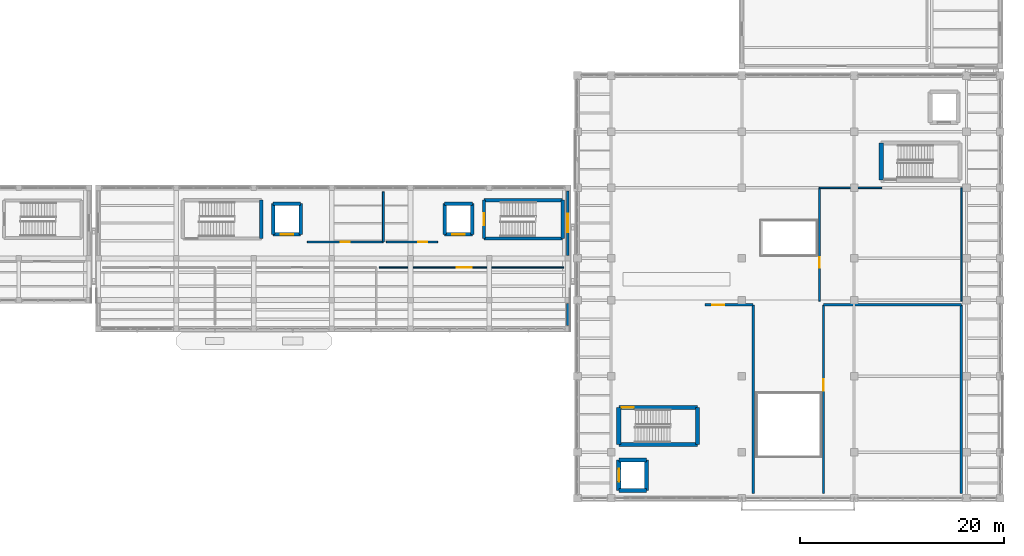
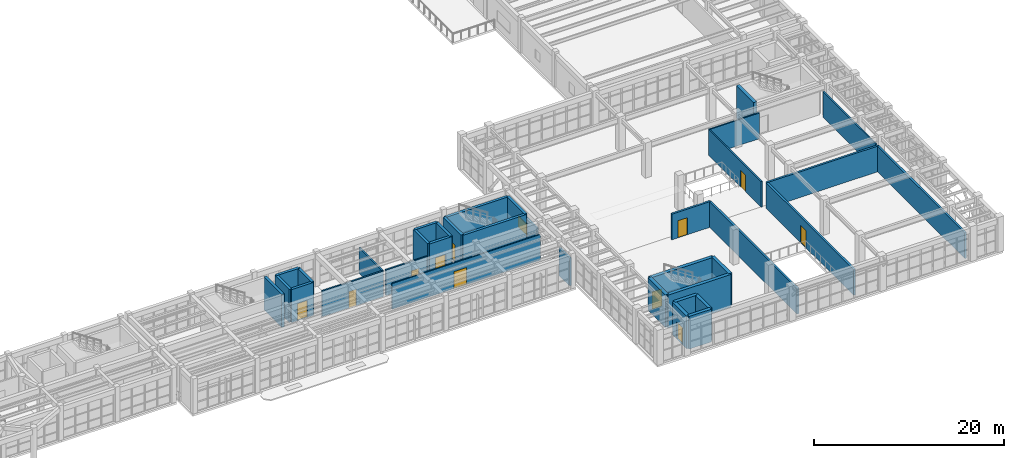
# One storey, part 70 of 85: 36 walls, 11 doors, 1 window, 12 openings.
"""IFC4 building model written with IfcOpenShell, lengths in metres."""

import ifcopenshell
import ifcopenshell.guid

model = None  # the IFC model being written
_history = None  # IfcOwnerHistory: only IFC2X3 demands one
_inside = {}  # id of a spatial element -> (the spatial element, [elements in it])
_under = {}  # id of a project, library or spatial element -> (it, [spatial elements below it])
_declared = {}  # id of a project -> (the project, [libraries it declares])
_typed = {}  # id of a type object -> (the type object, [elements of that type])
_made_of = {}  # id of a material, layer set ... -> (it, [elements and type objects made of it])


def new_model(schema):
    """Start an empty IFC model of exactly this schema.

    Asked for "IFC4X3", IfcOpenShell would pick the latest addendum, in which some entities
    have other attributes; the version numbers below select the first issue.
    IFC2X3 requires an IfcOwnerHistory on every rooted entity: one is made here for all.
    """
    global model, _history
    if schema == "IFC4X3":
        model = ifcopenshell.file(schema_version=(4, 3, 0, 0))
    else:
        model = ifcopenshell.file(schema=schema)
    _inside.clear()
    _under.clear()
    _declared.clear()
    _typed.clear()
    _made_of.clear()
    _history = None
    if model.schema == "IFC2X3":
        org = make("IfcOrganization", Name="unknown")
        user = make(
            "IfcPersonAndOrganization",
            ThePerson=make("IfcPerson", FamilyName="unknown"),
            TheOrganization=org,
        )
        app = make(
            "IfcApplication",
            ApplicationDeveloper=org,
            Version="unknown",
            ApplicationFullName="unknown",
            ApplicationIdentifier="unknown",
        )
        _history = make(
            "IfcOwnerHistory",
            OwningUser=user,
            OwningApplication=app,
            ChangeAction="ADDED",
            CreationDate=0,
        )
    return model


def make(cls, **values):
    """One entity of the class cls with the attributes given. An attribute that is None is left unset."""
    return model.create_entity(
        cls, **{name: value for name, value in values.items() if value is not None}
    )


def rooted(cls, **values):
    """An entity with a GlobalId (a new one), such as an element, a storey or a relation."""
    return make(cls, GlobalId=ifcopenshell.guid.new(), OwnerHistory=_history, **values)


def si_unit(unit_type, name, prefix=None):
    """IfcSIUnit, for example si_unit("LENGTHUNIT", "METRE", prefix="MILLI")."""
    return make("IfcSIUnit", UnitType=unit_type, Prefix=prefix, Name=name)


def assignment(units):
    """IfcUnitAssignment: the units of a project."""
    return None if units is None else make("IfcUnitAssignment", Units=units)


def point(xyz):
    """IfcCartesianPoint."""
    return None if xyz is None else make("IfcCartesianPoint", Coordinates=xyz)


def direction(xyz):
    """IfcDirection."""
    return None if xyz is None else make("IfcDirection", DirectionRatios=xyz)


def frame(location, z_axis=None, x_axis=None):
    """IfcAxis2Placement3D, a coordinate frame: its origin and axes. An axis left out is left unset."""
    return make(
        "IfcAxis2Placement3D",
        Location=point(location),
        Axis=direction(z_axis),
        RefDirection=direction(x_axis),
    )


def frame_2d(location, x_axis=None):
    """IfcAxis2Placement2D, a coordinate frame in the plane: its origin and x axis."""
    return make(
        "IfcAxis2Placement2D", Location=point(location), RefDirection=direction(x_axis)
    )


def origin():
    """The frame at (0, 0, 0) with its axes left unset."""
    return frame((0.0, 0.0, 0.0))


def place(relative_to, where):
    """IfcLocalPlacement: puts the frame where relative to a parent placement (None: the world)."""
    return make(
        "IfcLocalPlacement", PlacementRelTo=relative_to, RelativePlacement=where
    )


def context(
    kind, dimensions, precision=None, world=None, true_north=None, identifier=None
):
    """IfcGeometricRepresentationContext, for example the 3D "Model" context."""
    return make(
        "IfcGeometricRepresentationContext",
        ContextIdentifier=identifier,
        ContextType=kind,
        CoordinateSpaceDimension=dimensions,
        Precision=precision,
        WorldCoordinateSystem=world,
        TrueNorth=true_north,
    )


def subcontext(parent, identifier, kind, view, scale=None):
    """IfcGeometricRepresentationSubContext, for example "Body" below "Model"."""
    return make(
        "IfcGeometricRepresentationSubContext",
        ContextIdentifier=identifier,
        ContextType=kind,
        ParentContext=parent,
        TargetScale=scale,
        TargetView=view,
    )


def project(units=None, contexts=None):
    """IfcProject with its units and contexts."""
    return rooted(
        "IfcProject",
        Name="project",
        RepresentationContexts=contexts,
        UnitsInContext=assignment(units),
    )


def spatial(cls, under=None, at=None, **own):
    """A site, building, storey or space (cls), placed at a placement, below another one or the project."""
    s = rooted(cls, ObjectPlacement=at, **own)
    if under is not None:
        _under.setdefault(under.id(), (under, []))[1].append(s)
    return s


def profile(cls, at=None, kind="AREA", **sizes):
    """A parametric profile (cls). Its sizes go by their IFC names, for example OverallWidth=200.0."""
    return make(cls, ProfileType=kind, Position=at, **sizes)


def rectangle(**sizes):
    """IfcRectangleProfileDef."""
    return profile("IfcRectangleProfileDef", **sizes)


def extrude(swept, where, along, depth):
    """IfcExtrudedAreaSolid: the profile swept, set in the frame where, extruded along a direction by depth."""
    return make(
        "IfcExtrudedAreaSolid",
        SweptArea=swept,
        Position=where,
        ExtrudedDirection=direction(along),
        Depth=depth,
    )


def shape(context_of_items, identifier, shape_type, items):
    """IfcShapeRepresentation: the items that make up one representation, for example the "Body"."""
    return make(
        "IfcShapeRepresentation",
        ContextOfItems=context_of_items,
        RepresentationIdentifier=identifier,
        RepresentationType=shape_type,
        Items=items,
    )


def material(Name=None, Category=None):
    """IfcMaterial."""
    return make("IfcMaterial", Name=Name, Category=Category)


def layer(
    of_material, thickness, ventilated=None, Name=None, Category=None, Priority=None
):
    """IfcMaterialLayer: one layer of a wall or slab, of a material (None: an air gap)."""
    return make(
        "IfcMaterialLayer",
        Material=of_material,
        LayerThickness=thickness,
        IsVentilated=ventilated,
        Name=Name,
        Category=Category,
        Priority=Priority,
    )


def layer_set(layers, Name=None):
    """IfcMaterialLayerSet."""
    return make("IfcMaterialLayerSet", MaterialLayers=layers, LayerSetName=Name)


def made_of(thing, what):
    """Note that an element or type object is made of a material, layer set ...; save() writes the relation."""
    if what is not None:
        _made_of.setdefault(what.id(), (what, []))[1].append(thing)
    return thing


def type_object(cls, material=None, **own):
    """A type object (cls), such as IfcWallType, which elements share."""
    return made_of(rooted(cls, **own), material)


def element(
    cls,
    number,
    at=None,
    inside=None,
    cuts=None,
    type_object=None,
    material=None,
    context=None,
    identifier="Body",
    shape_type=None,
    held_by="IfcProductDefinitionShape",
    body=None,
    shapes=None,
    **own,
):
    """One element of the class cls, such as IfcWall. Its Tag is "e" and its number.

    at: its placement. inside: the storey or other place that contains it. cuts: it is an
    opening in that element (IfcRelVoidsElement). A single representation is given by context,
    identifier, shape_type and body (its items); several are given by shapes. held_by: the class
    of the entity that holds the representations. save() writes the other relations.
    """
    e = rooted(cls, Tag="e%d" % number, ObjectPlacement=at, **own)
    if body is not None:
        shapes = [shape(context, identifier, shape_type, body)]
    if shapes is not None:
        e.Representation = make(held_by, Representations=shapes)
    if inside is not None:
        _inside.setdefault(inside.id(), (inside, []))[1].append(e)
    if cuts is not None:
        rooted(
            "IfcRelVoidsElement", RelatingBuildingElement=cuts, RelatedOpeningElement=e
        )
    if type_object is not None:
        _typed.setdefault(type_object.id(), (type_object, []))[1].append(e)
    return made_of(e, material)


def fill(opening, filler):
    """IfcRelFillsElement: the door or window that sits in an opening."""
    return rooted(
        "IfcRelFillsElement",
        RelatingOpeningElement=opening,
        RelatedBuildingElement=filler,
    )


def aggregate(whole, parts):
    """IfcRelAggregates: a whole, such as a stair, and the parts it consists of."""
    return rooted("IfcRelAggregates", RelatingObject=whole, RelatedObjects=parts)


def save(model, path):
    """Write the relations noted so far, then the file.

    IfcRelAggregates (storeys below a building ...), IfcRelContainedInSpatialStructure (elements
    in a storey), IfcRelDefinesByType, IfcRelAssociatesMaterial and IfcRelDeclares: one each for
    every whole, place, type object, material and project.
    """
    for whole, parts in _under.values():
        aggregate(whole, parts)
    for where, things in _inside.values():
        rooted(
            "IfcRelContainedInSpatialStructure",
            RelatedElements=things,
            RelatingStructure=where,
        )
    for kind, things in _typed.values():
        rooted("IfcRelDefinesByType", RelatedObjects=things, RelatingType=kind)
    for what, things in _made_of.values():
        rooted("IfcRelAssociatesMaterial", RelatedObjects=things, RelatingMaterial=what)
    for by, libraries in _declared.values():
        rooted("IfcRelDeclares", RelatingContext=by, RelatedDefinitions=libraries)
    model.write(path)


model = new_model("IFC4")

# Units and contexts
model_context = context("Model", 3, precision=1e-05, world=origin(), true_north=direction((0.0, 1.0)))
body_context = subcontext(model_context, "Body", "Model", "MODEL_VIEW")
ifc_project = project(units=[si_unit("LENGTHUNIT", "METRE"), si_unit("AREAUNIT", "SQUARE_METRE"), si_unit("VOLUMEUNIT", "CUBIC_METRE"), si_unit("PLANEANGLEUNIT", "RADIAN"), si_unit("MASSUNIT", "GRAM", prefix="KILO")], contexts=[model_context])

# Site, building, storey
site_placement = place(None, origin())
site = spatial("IfcSite", under=ifc_project, at=site_placement, CompositionType="ELEMENT")
building_placement = place(site_placement, origin())
building = spatial("IfcBuilding", under=site, at=building_placement, Name="Candilejo Ridge Gondola Terminal", CompositionType="ELEMENT")
storey_placement = place(building_placement, frame((0.0, 0.0, 4.5)))
storey = spatial("IfcBuildingStorey", under=building, at=storey_placement, Name="L01", CompositionType="ELEMENT", Elevation=4.5)

# Wall, opening, window
ifc_material_1 = material(Name="Concrete C20/25 masonry blockwork (f'm 14 MPa)", Category="masonry")
ifc_layer_1 = layer(ifc_material_1, 0.219970703125)
ifc_layer_set_1 = layer_set([ifc_layer_1], Name="ARC-EXT-WALL-220")
wall_type_1 = type_object("IfcWallType", Name="ARC-EXT-WALL-220", PredefinedType="STANDARD", material=ifc_layer_set_1)
wall_1_placement = place(storey_placement, frame((132.949951171875, 36.39990234375, 0.0), z_axis=(0.0, 0.0, 1.0), x_axis=(0.0, -1.0, 0.0)))
wall_1 = element("IfcWall", 1, at=wall_1_placement, inside=storey, type_object=wall_type_1, Name="Exterior facade wall EW-V3-L01-076", PredefinedType="STANDARD", context=body_context, shape_type="SweptSolid", body=[
    extrude(rectangle(XDim=6.2998046875, YDim=0.219970703125, at=frame_2d((3.14990234375, 0.0))), origin(), (0.0, 0.0, 1.0), 3.239990234375),
])
opening_1_placement = place(wall_1_placement, frame((2.25, 0.0, 0.949951171875)))
opening_1 = element("IfcOpeningElement", 2, at=opening_1_placement, cuts=wall_1, Name="Opening WN-02B", PredefinedType="OPENING", context=body_context, shape_type="SweptSolid", body=[
    extrude(rectangle(XDim=1.800048828125, YDim=1.39990234375, at=frame_2d((0.89990234375, 0.699951171875))), frame((0.0, 0.119873046875, 0.0), z_axis=(0.0, -1.0, 0.0), x_axis=(1.0, 0.0, 0.0)), (0.0, 0.0, 1.0), 0.239990234375),
])
ifc_material_2 = material(Name="Low-E laminated double glazing 6+12A+6+1.52PVB+6 mm", Category="glass")
window_type = type_object("IfcWindowType", Name="ARC-WIN-1800X1400", PartitioningType="SINGLE_PANEL", PredefinedType="WINDOW", material=ifc_material_2)
window_placement = place(opening_1_placement, origin())
window = element("IfcWindow", 3, at=window_placement, inside=storey, type_object=window_type, Name="Window WIN-036", OverallHeight=1.39990234375, OverallWidth=1.800048828125, PartitioningType="SINGLE_PANEL", PredefinedType="WINDOW", context=body_context, shape_type="SweptSolid", body=[
    extrude(rectangle(XDim=1.800048828125, YDim=1.39990234375, at=frame_2d((0.89990234375, 0.699951171875))), frame((0.0, 0.030029296875, 0.0), z_axis=(0.0, -1.0, 0.0), x_axis=(1.0, 0.0, 0.0)), (0.0, 0.0, 1.0), 0.06005859375),
])
fill(opening_1, window)

# Wall
wall_2_placement = place(storey_placement, frame((132.949951171875, 25.39990234375, 0.0), z_axis=(0.0, 0.0, 1.0), x_axis=(0.0, -1.0, 0.0)))
element("IfcWall", 4, at=wall_2_placement, inside=storey, type_object=wall_type_1, Name="Exterior facade wall EW-V3-L01-078", PredefinedType="STANDARD", context=body_context, shape_type="SweptSolid", body=[
    extrude(rectangle(XDim=2.199951171875, YDim=0.219970703125, at=frame_2d((1.10009765625, 0.0))), origin(), (0.0, 0.0, 1.0), 3.580078125),
])

# Wall, opening, door
ifc_material_3 = material(Name="Gypsum board Type X acoustic partition (2x15.9 mm)", Category="gypsum")
ifc_layer_2 = layer(ifc_material_3, 0.135009765625)
ifc_layer_set_2 = layer_set([ifc_layer_2], Name="ARC-PART-GYP135")
wall_type_2 = type_object("IfcWallType", Name="ARC-PART-GYP135", PredefinedType="PARTITIONING", material=ifc_layer_set_2)
wall_3_placement = place(storey_placement, frame((114.5, 28.89990234375, 0.0), z_axis=(0.0, 0.0, 1.0), x_axis=(1.0, 0.0, 0.0)))
wall_3 = element("IfcWall", 5, at=wall_3_placement, inside=storey, type_object=wall_type_2, Name="Interior partition PT-V3-L01-0053", PredefinedType="PARTITIONING", context=body_context, shape_type="SweptSolid", body=[
    extrude(rectangle(XDim=18.050048828125, YDim=0.135009765625, at=frame_2d((9.02490234375, 0.0))), origin(), (0.0, 0.0, 1.0), 3.300048828125),
])
opening_2_placement = place(wall_3_placement, frame((7.574951171875, 0.0, 0.0)))
opening_2 = element("IfcOpeningElement", 6, at=opening_2_placement, cuts=wall_3, Name="Opening ID-03B", PredefinedType="OPENING", context=body_context, shape_type="SweptSolid", body=[
    extrude(rectangle(XDim=1.5, YDim=2.199951171875, at=frame_2d((0.75, 1.10009765625))), frame((0.0, 0.077392578125, 0.0), z_axis=(0.0, -1.0, 0.0), x_axis=(1.0, 0.0, 0.0)), (0.0, 0.0, 1.0), 0.155029296875),
])
ifc_material_4 = material(Name="Solid-core fire-rated hardwood door leaf", Category="wood")
door_type_1 = type_object("IfcDoorType", Name="ARC-DOOR-DBL-1500", OperationType="NOTDEFINED", PredefinedType="DOOR", material=ifc_material_4)
door_1_placement = place(opening_2_placement, origin())
door_1 = element("IfcDoor", 7, at=door_1_placement, inside=storey, type_object=door_type_1, Name="Interior door IDR-0031 (115)", OperationType="DOUBLE_DOOR_SINGLE_SWING", OverallHeight=2.199951171875, OverallWidth=1.5, PredefinedType="DOOR", context=body_context, shape_type="SweptSolid", body=[
    extrude(rectangle(XDim=1.5, YDim=2.199951171875, at=frame_2d((0.75, 1.10009765625))), frame((0.0, 0.02490234375, 0.0), z_axis=(0.0, -1.0, 0.0), x_axis=(1.0, 0.0, 0.0)), (0.0, 0.0, 1.0), 0.050048828125),
])
fill(opening_2, door_1)

ifc_material_5 = material(Name="Concrete C20/25 masonry blockwork (f'm 14 MPa)", Category="masonry")
ifc_layer_3 = layer(ifc_material_5, 0.169921875)
ifc_layer_set_3 = layer_set([ifc_layer_3], Name="ARC-WALL-CMU170-EI90")
wall_type_3 = type_object("IfcWallType", Name="ARC-WALL-CMU170-EI90", PredefinedType="SOLIDWALL", material=ifc_layer_set_3)
wall_4_placement = place(storey_placement, frame((157.60009765625, 25.60009765625, 0.0), z_axis=(0.0, 0.0, 1.0), x_axis=(0.0, 1.0, 0.0)))
wall_4 = element("IfcWall", 8, at=wall_4_placement, inside=storey, type_object=wall_type_3, Name="Interior partition PT-V4-L01-0062", PredefinedType="SOLIDWALL", context=body_context, shape_type="SweptSolid", body=[
    extrude(rectangle(XDim=11.099853515625, YDim=0.169921875, at=frame_2d((5.5498046875, 0.0))), origin(), (0.0, 0.0, 1.0), 3.300048828125),
])
opening_3_placement = place(wall_4_placement, frame((3.300048828125, 0.0, 0.0)))
opening_3 = element("IfcOpeningElement", 9, at=opening_3_placement, cuts=wall_4, Name="Opening FD-02", PredefinedType="OPENING", context=body_context, shape_type="SweptSolid", body=[
    extrude(rectangle(XDim=1.0, YDim=2.14990234375, at=frame_2d((0.5, 1.074951171875))), frame((0.0, 0.094970703125, 0.0), z_axis=(0.0, -1.0, 0.0), x_axis=(1.0, 0.0, 0.0)), (0.0, 0.0, 1.0), 0.18994140625),
])
ifc_material_6 = material(Name="Steel ASTM A653 Grade 33 hollow-metal door", Category="steel")
door_type_2 = type_object("IfcDoorType", Name="ARC-DOOR-FD60-1000", OperationType="NOTDEFINED", PredefinedType="DOOR", material=ifc_material_6)
door_2_placement = place(opening_3_placement, origin())
door_2 = element("IfcDoor", 10, at=door_2_placement, inside=storey, type_object=door_type_2, Name="Interior door IDR-0036 (122)", OperationType="SINGLE_SWING_RIGHT", OverallHeight=2.14990234375, OverallWidth=1.0, PredefinedType="DOOR", context=body_context, shape_type="SweptSolid", body=[
    extrude(rectangle(XDim=1.0, YDim=2.14990234375, at=frame_2d((0.5, 1.074951171875))), frame((0.0, 0.02490234375, 0.0), z_axis=(0.0, -1.0, 0.0), x_axis=(1.0, 0.0, 0.0)), (0.0, 0.0, 1.0), 0.050048828125),
])
fill(opening_3, door_2)

# Walls
wall_5_placement = place(storey_placement, frame((171.5, 25.60009765625, 0.0), z_axis=(0.0, 0.0, 1.0), x_axis=(0.0, 1.0, 0.0)))
element("IfcWall", 11, at=wall_5_placement, inside=storey, type_object=wall_type_3, Name="Interior partition PT-V4-L01-0063", PredefinedType="SOLIDWALL", context=body_context, shape_type="SweptSolid", body=[
    extrude(rectangle(XDim=11.099853515625, YDim=0.169921875, at=frame_2d((5.5498046875, 0.0))), origin(), (0.0, 0.0, 1.0), 3.300048828125),
])
wall_6_placement = place(storey_placement, frame((157.60009765625, 36.699951171875, 0.0), z_axis=(0.0, 0.0, 1.0), x_axis=(1.0, 0.0, 0.0)))
element("IfcWall", 12, at=wall_6_placement, inside=storey, type_object=wall_type_3, Name="Interior partition PT-V4-L01-0064", PredefinedType="SOLIDWALL", context=body_context, shape_type="SweptSolid", body=[
    extrude(rectangle(XDim=6.079833984375, YDim=0.169921875, at=frame_2d((3.0400390625, 0.0))), origin(), (0.0, 0.0, 1.0), 3.300048828125),
])

# Wall, opening, door
ifc_material_7 = material(Name="Concrete C20/25 masonry blockwork (f'm 14 MPa)", Category="masonry")
ifc_layer_4 = layer(ifc_material_7, 0.239990234375)
ifc_layer_set_4 = layer_set([ifc_layer_4], Name="ARC-WALL-CMU240-EI120")
wall_type_4 = type_object("IfcWallType", Name="ARC-WALL-CMU240-EI120", PredefinedType="SOLIDWALL", material=ifc_layer_set_4)
wall_7_placement = place(storey_placement, frame((146.39990234375, 25.25, 0.0), z_axis=(0.0, 0.0, 1.0), x_axis=(1.0, 0.0, 0.0)))
wall_7 = element("IfcWall", 13, at=wall_7_placement, inside=storey, type_object=wall_type_4, Name="Interior partition PT-V4-L01-0057", PredefinedType="SOLIDWALL", context=body_context, shape_type="SweptSolid", body=[
    extrude(rectangle(XDim=4.7001953125, YDim=0.239990234375, at=frame_2d((2.35009765625, 0.0))), origin(), (0.0, 0.0, 1.0), 3.300048828125),
])
opening_4_placement = place(wall_7_placement, frame((0.72509765625, 0.0, 0.0)))
opening_4 = element("IfcOpeningElement", 14, at=opening_4_placement, cuts=wall_7, Name="Opening FD-01B", PredefinedType="OPENING", context=body_context, shape_type="SweptSolid", body=[
    extrude(rectangle(XDim=1.14990234375, YDim=2.199951171875, at=frame_2d((0.574951171875, 1.10009765625))), frame((0.0, 0.1298828125, 0.0), z_axis=(0.0, -1.0, 0.0), x_axis=(1.0, 0.0, 0.0)), (0.0, 0.0, 1.0), 0.260009765625),
])
ifc_material_8 = material(Name="Steel ASTM A653 Grade 33 hollow-metal door", Category="steel")
door_type_3 = type_object("IfcDoorType", Name="ARC-DOOR-FD90-1150", OperationType="NOTDEFINED", PredefinedType="DOOR", material=ifc_material_8)
door_3_placement = place(opening_4_placement, origin())
door_3 = element("IfcDoor", 15, at=door_3_placement, inside=storey, type_object=door_type_3, Name="Interior door IDR-0034 (119)", OperationType="SINGLE_SWING_RIGHT", OverallHeight=2.199951171875, OverallWidth=1.14990234375, PredefinedType="DOOR", context=body_context, shape_type="SweptSolid", body=[
    extrude(rectangle(XDim=1.14990234375, YDim=2.199951171875, at=frame_2d((0.574951171875, 1.10009765625))), frame((0.0, 0.02490234375, 0.0), z_axis=(0.0, -1.0, 0.0), x_axis=(1.0, 0.0, 0.0)), (0.0, 0.0, 1.0), 0.050048828125),
])
fill(opening_4, door_3)

# Walls
wall_8_placement = place(storey_placement, frame((151.10009765625, 6.75, 0.0), z_axis=(0.0, 0.0, 1.0), x_axis=(0.0, 1.0, 0.0)))
element("IfcWall", 16, at=wall_8_placement, inside=storey, type_object=wall_type_4, Name="Interior partition PT-V4-L01-0058", PredefinedType="SOLIDWALL", context=body_context, shape_type="SweptSolid", body=[
    extrude(rectangle(XDim=18.5, YDim=0.239990234375, at=frame_2d((9.25, 0.0))), origin(), (0.0, 0.0, 1.0), 3.300048828125),
])
wall_9_placement = place(storey_placement, frame((158.0, 25.25, 0.0), z_axis=(0.0, 0.0, 1.0), x_axis=(1.0, 0.0, 0.0)))
element("IfcWall", 17, at=wall_9_placement, inside=storey, type_object=wall_type_4, Name="Interior partition PT-V4-L01-0059", PredefinedType="SOLIDWALL", context=body_context, shape_type="SweptSolid", body=[
    extrude(rectangle(XDim=13.5, YDim=0.239990234375, at=frame_2d((6.75, 0.0))), origin(), (0.0, 0.0, 1.0), 3.300048828125),
])

# Wall, opening, door
wall_10_placement = place(storey_placement, frame((158.0, 6.75, 0.0), z_axis=(0.0, 0.0, 1.0), x_axis=(0.0, 1.0, 0.0)))
wall_10 = element("IfcWall", 18, at=wall_10_placement, inside=storey, type_object=wall_type_4, Name="Interior partition PT-V4-L01-0060", PredefinedType="SOLIDWALL", context=body_context, shape_type="SweptSolid", body=[
    extrude(rectangle(XDim=18.5, YDim=0.239990234375, at=frame_2d((9.25, 0.0))), origin(), (0.0, 0.0, 1.0), 3.300048828125),
])
opening_5_placement = place(wall_10_placement, frame((10.074951171875, 0.0, 0.0)))
opening_5 = element("IfcOpeningElement", 19, at=opening_5_placement, cuts=wall_10, Name="Opening FD-01B", PredefinedType="OPENING", context=body_context, shape_type="SweptSolid", body=[
    extrude(rectangle(XDim=1.14990234375, YDim=2.199951171875, at=frame_2d((0.574951171875, 1.10009765625))), frame((0.0, 0.1298828125, 0.0), z_axis=(0.0, -1.0, 0.0), x_axis=(1.0, 0.0, 0.0)), (0.0, 0.0, 1.0), 0.260009765625),
])
door_4_placement = place(opening_5_placement, origin())
door_4 = element("IfcDoor", 20, at=door_4_placement, inside=storey, type_object=door_type_3, Name="Interior door IDR-0035 (120)", OperationType="SINGLE_SWING_LEFT", OverallHeight=2.199951171875, OverallWidth=1.14990234375, PredefinedType="DOOR", context=body_context, shape_type="SweptSolid", body=[
    extrude(rectangle(XDim=1.14990234375, YDim=2.199951171875, at=frame_2d((0.574951171875, 1.10009765625))), frame((0.0, 0.02490234375, 0.0), z_axis=(0.0, -1.0, 0.0), x_axis=(1.0, 0.0, 0.0)), (0.0, 0.0, 1.0), 0.050048828125),
])
fill(opening_5, door_4)

# Wall
wall_11_placement = place(storey_placement, frame((171.5, 6.75, 0.0), z_axis=(0.0, 0.0, 1.0), x_axis=(0.0, 1.0, 0.0)))
element("IfcWall", 21, at=wall_11_placement, inside=storey, type_object=wall_type_4, Name="Interior partition PT-V4-L01-0061", PredefinedType="SOLIDWALL", context=body_context, shape_type="SweptSolid", body=[
    extrude(rectangle(XDim=18.5, YDim=0.239990234375, at=frame_2d((9.25, 0.0))), origin(), (0.0, 0.0, 1.0), 3.300048828125),
])

# Wall, opening, door
ifc_material_9 = material(Name="Concrete C20/25 masonry blockwork (f'm 14 MPa)", Category="masonry")
ifc_layer_5 = layer(ifc_material_9, 0.179931640625)
ifc_layer_set_5 = layer_set([ifc_layer_5], Name="ARC-WALL-PLUMBING-180")
wall_type_5 = type_object("IfcWallType", Name="ARC-WALL-PLUMBING-180", PredefinedType="PLUMBINGWALL", material=ifc_layer_set_5)
wall_12_placement = place(storey_placement, frame((107.449951171875, 31.39990234375, 0.0), z_axis=(0.0, 0.0, 1.0), x_axis=(1.0, 0.0, 0.0)))
wall_12 = element("IfcWall", 22, at=wall_12_placement, inside=storey, type_object=wall_type_5, Name="Interior partition PT-V3-L01-0054", PredefinedType="PLUMBINGWALL", context=body_context, shape_type="SweptSolid", body=[
    extrude(rectangle(XDim=7.449951171875, YDim=0.179931640625, at=frame_2d((3.72509765625, 0.0))), origin(), (0.0, 0.0, 1.0), 3.300048828125),
])
opening_6_placement = place(wall_12_placement, frame((3.27490234375, 0.0, 0.0)))
opening_6 = element("IfcOpeningElement", 23, at=opening_6_placement, cuts=wall_12, Name="Opening ID-04", PredefinedType="OPENING", context=body_context, shape_type="SweptSolid", body=[
    extrude(rectangle(XDim=0.89990234375, YDim=2.10009765625, at=frame_2d((0.449951171875, 1.050048828125))), frame((0.0, 0.099853515625, 0.0), z_axis=(0.0, -1.0, 0.0), x_axis=(1.0, 0.0, 0.0)), (0.0, 0.0, 1.0), 0.199951171875),
])
ifc_material_10 = material(Name="Solid-core fire-rated hardwood door leaf", Category="wood")
door_type_4 = type_object("IfcDoorType", Name="ARC-DOOR-WC-0900", OperationType="NOTDEFINED", PredefinedType="DOOR", material=ifc_material_10)
door_5_placement = place(opening_6_placement, origin())
door_5 = element("IfcDoor", 24, at=door_5_placement, inside=storey, type_object=door_type_4, Name="Interior door IDR-0032 (117)", OperationType="SINGLE_SWING_RIGHT", OverallHeight=2.10009765625, OverallWidth=0.89990234375, PredefinedType="DOOR", context=body_context, shape_type="SweptSolid", body=[
    extrude(rectangle(XDim=0.89990234375, YDim=2.10009765625, at=frame_2d((0.449951171875, 1.050048828125))), frame((0.0, 0.02490234375, 0.0), z_axis=(0.0, -1.0, 0.0), x_axis=(1.0, 0.0, 0.0)), (0.0, 0.0, 1.0), 0.050048828125),
])
fill(opening_6, door_5)

# Wall
wall_13_placement = place(storey_placement, frame((114.89990234375, 31.39990234375, 0.0), z_axis=(0.0, 0.0, 1.0), x_axis=(0.0, 1.0, 0.0)))
element("IfcWall", 25, at=wall_13_placement, inside=storey, type_object=wall_type_5, Name="Interior partition PT-V3-L01-0055", PredefinedType="PLUMBINGWALL", context=body_context, shape_type="SweptSolid", body=[
    extrude(rectangle(XDim=4.900146484375, YDim=0.179931640625, at=frame_2d((2.4501953125, 0.0))), origin(), (0.0, 0.0, 1.0), 3.300048828125),
])

# Wall, opening, door
wall_14_placement = place(storey_placement, frame((115.199951171875, 31.39990234375, 0.0), z_axis=(0.0, 0.0, 1.0), x_axis=(1.0, 0.0, 0.0)))
wall_14 = element("IfcWall", 26, at=wall_14_placement, inside=storey, type_object=wall_type_5, Name="Interior partition PT-V3-L01-0056", PredefinedType="PLUMBINGWALL", context=body_context, shape_type="SweptSolid", body=[
    extrude(rectangle(XDim=5.0, YDim=0.179931640625, at=frame_2d((2.5, 0.0))), origin(), (0.0, 0.0, 1.0), 3.300048828125),
])
opening_7_placement = place(wall_14_placement, frame((3.090087890625, 0.0, 0.0)))
opening_7 = element("IfcOpeningElement", 27, at=opening_7_placement, cuts=wall_14, Name="Opening ID-04A", PredefinedType="OPENING", context=body_context, shape_type="SweptSolid", body=[
    extrude(rectangle(XDim=0.919921875, YDim=2.10009765625, at=frame_2d((0.4599609375, 1.050048828125))), frame((0.0, 0.099853515625, 0.0), z_axis=(0.0, -1.0, 0.0), x_axis=(1.0, 0.0, 0.0)), (0.0, 0.0, 1.0), 0.199951171875),
])
ifc_material_11 = material(Name="Solid-core fire-rated hardwood door leaf", Category="wood")
door_type_5 = type_object("IfcDoorType", Name="ARC-DOOR-WC-0920", OperationType="NOTDEFINED", PredefinedType="DOOR", material=ifc_material_11)
door_6_placement = place(opening_7_placement, origin())
door_6 = element("IfcDoor", 28, at=door_6_placement, inside=storey, type_object=door_type_5, Name="Interior door IDR-0033 (118)", OperationType="SINGLE_SWING_LEFT", OverallHeight=2.10009765625, OverallWidth=0.919921875, PredefinedType="DOOR", context=body_context, shape_type="SweptSolid", body=[
    extrude(rectangle(XDim=0.919921875, YDim=2.10009765625, at=frame_2d((0.4599609375, 1.050048828125))), frame((0.0, 0.02490234375, 0.0), z_axis=(0.0, -1.0, 0.0), x_axis=(1.0, 0.0, 0.0)), (0.0, 0.0, 1.0), 0.050048828125),
])
fill(opening_7, door_6)

# Wall
ifc_material_12 = material(Name="Concrete f'c 35 MPa (C35/45)", Category="concrete")
ifc_layer_6 = layer(ifc_material_12, 0.324951171875)
ifc_layer_set_6 = layer_set([ifc_layer_6], Name="STR-CORE-WALL-325")
wall_type_6 = type_object("IfcWallType", Name="STR-CORE-WALL-325", PredefinedType="SHEAR", material=ifc_layer_set_6)
wall_15_placement = place(storey_placement, frame((102.949951171875, 31.75, 0.0), z_axis=(0.0, 0.0, 1.0), x_axis=(0.0, 1.0, 0.0)))
element("IfcWall", 29, at=wall_15_placement, inside=storey, type_object=wall_type_6, Name="Core stair shear wall SW-C-V3A-L01-ST-E", PredefinedType="SHEAR", context=body_context, shape_type="SweptSolid", body=[
    extrude(rectangle(XDim=3.75, YDim=0.324951171875, at=frame_2d((1.875, 0.0))), origin(), (0.0, 0.0, 1.0), 4.25),
])

# Wall, opening, door
wall_16_placement = place(storey_placement, frame((104.10009765625, 32.14990234375, 0.0), z_axis=(0.0, 0.0, 1.0), x_axis=(1.0, 0.0, 0.0)))
wall_16 = element("IfcWall", 30, at=wall_16_placement, inside=storey, type_object=wall_type_6, Name="Lift shaft shear wall SW-C-V3A-L01-LF-S", PredefinedType="SHEAR", context=body_context, shape_type="SweptSolid", body=[
    extrude(rectangle(XDim=2.699951171875, YDim=0.324951171875, at=frame_2d((1.35009765625, 0.0))), origin(), (0.0, 0.0, 1.0), 4.25),
])
opening_8_placement = place(wall_16_placement, frame((0.72509765625, 0.0, 0.0)))
opening_8 = element("IfcOpeningElement", 31, at=opening_8_placement, cuts=wall_16, Name="Opening LD-01B", PredefinedType="OPENING", context=body_context, shape_type="SweptSolid", body=[
    extrude(rectangle(XDim=1.25, YDim=2.199951171875, at=frame_2d((0.625, 1.10009765625))), frame((0.0, 0.17236328125, 0.0), z_axis=(0.0, -1.0, 0.0), x_axis=(1.0, 0.0, 0.0)), (0.0, 0.0, 1.0), 0.344970703125),
])
ifc_material_13 = material(Name="Brushed stainless steel AISI 316", Category="steel")
door_type_6 = type_object("IfcDoorType", Name="ARC-LIFT-DOOR-1250", OperationType="NOTDEFINED", PredefinedType="DOOR", material=ifc_material_13)
door_7_placement = place(opening_8_placement, origin())
door_7 = element("IfcDoor", 32, at=door_7_placement, inside=storey, type_object=door_type_6, Name="Elevator landing door LDR-016", OperationType="SLIDING_TO_LEFT", OverallHeight=2.199951171875, OverallWidth=1.25, PredefinedType="DOOR", context=body_context, shape_type="SweptSolid", body=[
    extrude(rectangle(XDim=1.25, YDim=2.199951171875, at=frame_2d((0.625, 1.10009765625))), frame((0.0, 0.02490234375, 0.0), z_axis=(0.0, -1.0, 0.0), x_axis=(1.0, 0.0, 0.0)), (0.0, 0.0, 1.0), 0.050048828125),
])
fill(opening_8, door_7)

# Walls
wall_17_placement = place(storey_placement, frame((104.10009765625, 35.14990234375, 0.0), z_axis=(0.0, 0.0, 1.0), x_axis=(1.0, 0.0, 0.0)))
element("IfcWall", 33, at=wall_17_placement, inside=storey, type_object=wall_type_6, Name="Lift shaft shear wall SW-C-V3A-L01-LF-N", PredefinedType="SHEAR", context=body_context, shape_type="SweptSolid", body=[
    extrude(rectangle(XDim=2.699951171875, YDim=0.324951171875, at=frame_2d((1.35009765625, 0.0))), origin(), (0.0, 0.0, 1.0), 4.25),
])
for number, where, z_axis, x_axis, name in (
    (34, (104.10009765625, 32.14990234375, 0.0), (0.0, 0.0, 1.0), (0.0, 1.0, 0.0), "Lift shaft shear wall SW-C-V3A-L01-LF-W"),
    (35, (106.800048828125, 32.14990234375, 0.0), (0.0, 0.0, 1.0), (0.0, 1.0, 0.0), "Lift shaft shear wall SW-C-V3A-L01-LF-E"),
):
    element("IfcWall", number, at=place(storey_placement, frame(where, z_axis=z_axis, x_axis=x_axis)), inside=storey, type_object=wall_type_6, Name=name, PredefinedType="SHEAR", context=body_context, shape_type="SweptSolid", body=[
        extrude(rectangle(XDim=3.0, YDim=0.324951171875, at=frame_2d((1.5, 0.0))), origin(), (0.0, 0.0, 1.0), 4.25),
    ])
for number, where, z_axis, x_axis, name in (
    (36, (124.75, 31.75, 0.0), (0.0, 0.0, 1.0), (1.0, 0.0, 0.0), "Core stair shear wall SW-C-V3B-L01-ST-S"),
    (37, (132.449951171875, 35.5, 0.0), (0.0, 0.0, 1.0), (-1.0, 0.0, 0.0), "Core stair shear wall SW-C-V3B-L01-ST-N"),
):
    element("IfcWall", number, at=place(storey_placement, frame(where, z_axis=z_axis, x_axis=x_axis)), inside=storey, type_object=wall_type_6, Name=name, PredefinedType="SHEAR", context=body_context, shape_type="SweptSolid", body=[
        extrude(rectangle(XDim=7.699951171875, YDim=0.324951171875, at=frame_2d((3.85009765625, 0.0))), origin(), (0.0, 0.0, 1.0), 4.25),
    ])

# Wall, opening, door
wall_18_placement = place(storey_placement, frame((124.75, 35.5, 0.0), z_axis=(0.0, 0.0, 1.0), x_axis=(0.0, -1.0, 0.0)))
wall_18 = element("IfcWall", 38, at=wall_18_placement, inside=storey, type_object=wall_type_6, Name="Core stair shear wall SW-C-V3B-L01-ST-W", PredefinedType="SHEAR", context=body_context, shape_type="SweptSolid", body=[
    extrude(rectangle(XDim=3.75, YDim=0.324951171875, at=frame_2d((1.875, 0.0))), origin(), (0.0, 0.0, 1.0), 4.25),
])
opening_9_placement = place(wall_18_placement, frame((1.27490234375, 0.0, 0.0)))
opening_9 = element("IfcOpeningElement", 39, at=opening_9_placement, cuts=wall_18, Name="Opening FD-01", PredefinedType="OPENING", context=body_context, shape_type="SweptSolid", body=[
    extrude(rectangle(XDim=1.199951171875, YDim=2.199951171875, at=frame_2d((0.60009765625, 1.10009765625))), frame((0.0, 0.17236328125, 0.0), z_axis=(0.0, -1.0, 0.0), x_axis=(1.0, 0.0, 0.0)), (0.0, 0.0, 1.0), 0.344970703125),
])
ifc_material_14 = material(Name="Steel ASTM A653 Grade 33 hollow-metal door", Category="steel")
door_type_7 = type_object("IfcDoorType", Name="ARC-DOOR-FD90-1200", OperationType="NOTDEFINED", PredefinedType="DOOR", material=ifc_material_14)
door_8_placement = place(opening_9_placement, origin())
door_8 = element("IfcDoor", 40, at=door_8_placement, inside=storey, type_object=door_type_7, Name="Fire stair door SDR-021", OperationType="SINGLE_SWING_LEFT", OverallHeight=2.199951171875, OverallWidth=1.199951171875, PredefinedType="DOOR", context=body_context, shape_type="SweptSolid", body=[
    extrude(rectangle(XDim=1.199951171875, YDim=2.199951171875, at=frame_2d((0.60009765625, 1.10009765625))), frame((0.0, 0.02490234375, 0.0), z_axis=(0.0, -1.0, 0.0), x_axis=(1.0, 0.0, 0.0)), (0.0, 0.0, 1.0), 0.050048828125),
])
fill(opening_9, door_8)

# Wall
wall_19_placement = place(storey_placement, frame((132.449951171875, 31.75, 0.0), z_axis=(0.0, 0.0, 1.0), x_axis=(0.0, 1.0, 0.0)))
element("IfcWall", 41, at=wall_19_placement, inside=storey, type_object=wall_type_6, Name="Core stair shear wall SW-C-V3B-L01-ST-E", PredefinedType="SHEAR", context=body_context, shape_type="SweptSolid", body=[
    extrude(rectangle(XDim=3.75, YDim=0.324951171875, at=frame_2d((1.875, 0.0))), origin(), (0.0, 0.0, 1.0), 4.25),
])

# Wall, opening, door
wall_20_placement = place(storey_placement, frame((120.89990234375, 32.14990234375, 0.0), z_axis=(0.0, 0.0, 1.0), x_axis=(1.0, 0.0, 0.0)))
wall_20 = element("IfcWall", 42, at=wall_20_placement, inside=storey, type_object=wall_type_6, Name="Lift shaft shear wall SW-C-V3B-L01-LF-S", PredefinedType="SHEAR", context=body_context, shape_type="SweptSolid", body=[
    extrude(rectangle(XDim=2.7001953125, YDim=0.324951171875, at=frame_2d((1.35009765625, 0.0))), origin(), (0.0, 0.0, 1.0), 4.25),
])
opening_10_placement = place(wall_20_placement, frame((0.72509765625, 0.0, 0.0)))
opening_10 = element("IfcOpeningElement", 43, at=opening_10_placement, cuts=wall_20, Name="Opening LD-01B", PredefinedType="OPENING", context=body_context, shape_type="SweptSolid", body=[
    extrude(rectangle(XDim=1.25, YDim=2.199951171875, at=frame_2d((0.625, 1.10009765625))), frame((0.0, 0.17236328125, 0.0), z_axis=(0.0, -1.0, 0.0), x_axis=(1.0, 0.0, 0.0)), (0.0, 0.0, 1.0), 0.344970703125),
])
door_9_placement = place(opening_10_placement, origin())
door_9 = element("IfcDoor", 44, at=door_9_placement, inside=storey, type_object=door_type_6, Name="Elevator landing door LDR-021", OperationType="SLIDING_TO_LEFT", OverallHeight=2.199951171875, OverallWidth=1.25, PredefinedType="DOOR", context=body_context, shape_type="SweptSolid", body=[
    extrude(rectangle(XDim=1.25, YDim=2.199951171875, at=frame_2d((0.625, 1.10009765625))), frame((0.0, 0.02490234375, 0.0), z_axis=(0.0, -1.0, 0.0), x_axis=(1.0, 0.0, 0.0)), (0.0, 0.0, 1.0), 0.050048828125),
])
fill(opening_10, door_9)

# Walls
wall_21_placement = place(storey_placement, frame((120.89990234375, 35.14990234375, 0.0), z_axis=(0.0, 0.0, 1.0), x_axis=(1.0, 0.0, 0.0)))
element("IfcWall", 45, at=wall_21_placement, inside=storey, type_object=wall_type_6, Name="Lift shaft shear wall SW-C-V3B-L01-LF-N", PredefinedType="SHEAR", context=body_context, shape_type="SweptSolid", body=[
    extrude(rectangle(XDim=2.7001953125, YDim=0.324951171875, at=frame_2d((1.35009765625, 0.0))), origin(), (0.0, 0.0, 1.0), 4.25),
])
for number, where, z_axis, x_axis, name in (
    (46, (120.89990234375, 32.14990234375, 0.0), (0.0, 0.0, 1.0), (0.0, 1.0, 0.0), "Lift shaft shear wall SW-C-V3B-L01-LF-W"),
    (47, (123.60009765625, 32.14990234375, 0.0), (0.0, 0.0, 1.0), (0.0, 1.0, 0.0), "Lift shaft shear wall SW-C-V3B-L01-LF-E"),
):
    element("IfcWall", number, at=place(storey_placement, frame(where, z_axis=z_axis, x_axis=x_axis)), inside=storey, type_object=wall_type_6, Name=name, PredefinedType="SHEAR", context=body_context, shape_type="SweptSolid", body=[
        extrude(rectangle(XDim=3.0, YDim=0.324951171875, at=frame_2d((1.5, 0.0))), origin(), (0.0, 0.0, 1.0), 4.25),
    ])
ifc_material_15 = material(Name="Concrete f'c 35 MPa (C35/45)", Category="concrete")
ifc_layer_7 = layer(ifc_material_15, 0.39990234375)
ifc_layer_set_7 = layer_set([ifc_layer_7], Name="STR-CORE-WALL-400")
wall_type_7 = type_object("IfcWallType", Name="STR-CORE-WALL-400", PredefinedType="SHEAR", material=ifc_layer_set_7)
wall_22_placement = place(storey_placement, frame((137.949951171875, 11.550048828125, 0.0), z_axis=(0.0, 0.0, 1.0), x_axis=(1.0, 0.0, 0.0)))
element("IfcWall", 48, at=wall_22_placement, inside=storey, type_object=wall_type_7, Name="Core stair shear wall SW-C-V4A-L01-ST-S", PredefinedType="SHEAR", context=body_context, shape_type="SweptSolid", body=[
    extrude(rectangle(XDim=7.699951171875, YDim=0.39990234375, at=frame_2d((3.85009765625, 0.0))), origin(), (0.0, 0.0, 1.0), 4.199951171875),
])

# Wall, opening, door
wall_23_placement = place(storey_placement, frame((145.64990234375, 15.199951171875, 0.0), z_axis=(0.0, 0.0, 1.0), x_axis=(-1.0, 0.0, 0.0)))
wall_23 = element("IfcWall", 49, at=wall_23_placement, inside=storey, type_object=wall_type_7, Name="Core stair shear wall SW-C-V4A-L01-ST-N", PredefinedType="SHEAR", context=body_context, shape_type="SweptSolid", body=[
    extrude(rectangle(XDim=7.699951171875, YDim=0.39990234375, at=frame_2d((3.85009765625, 0.0))), origin(), (0.0, 0.0, 1.0), 4.199951171875),
])
opening_11_placement = place(wall_23_placement, frame((6.219970703125, 0.0, 0.0)))
opening_11 = element("IfcOpeningElement", 50, at=opening_11_placement, cuts=wall_23, Name="Opening FD-01", PredefinedType="OPENING", context=body_context, shape_type="SweptSolid", body=[
    extrude(rectangle(XDim=1.199951171875, YDim=2.199951171875, at=frame_2d((0.60009765625, 1.10009765625))), frame((0.0, 0.2099609375, 0.0), z_axis=(0.0, -1.0, 0.0), x_axis=(1.0, 0.0, 0.0)), (0.0, 0.0, 1.0), 0.419921875),
])
door_10_placement = place(opening_11_placement, origin())
door_10 = element("IfcDoor", 51, at=door_10_placement, inside=storey, type_object=door_type_7, Name="Fire stair door SDR-026", OperationType="SINGLE_SWING_RIGHT", OverallHeight=2.199951171875, OverallWidth=1.199951171875, PredefinedType="DOOR", context=body_context, shape_type="SweptSolid", body=[
    extrude(rectangle(XDim=1.199951171875, YDim=2.199951171875, at=frame_2d((0.60009765625, 1.10009765625))), frame((0.0, 0.02490234375, 0.0), z_axis=(0.0, -1.0, 0.0), x_axis=(1.0, 0.0, 0.0)), (0.0, 0.0, 1.0), 0.050048828125),
])
fill(opening_11, door_10)

# Walls
for number, where, z_axis, x_axis, name in (
    (52, (137.949951171875, 15.199951171875, 0.0), (0.0, 0.0, 1.0), (0.0, -1.0, 0.0), "Core stair shear wall SW-C-V4A-L01-ST-W"),
    (53, (145.64990234375, 11.550048828125, 0.0), (0.0, 0.0, 1.0), (0.0, 1.0, 0.0), "Core stair shear wall SW-C-V4A-L01-ST-E"),
):
    element("IfcWall", number, at=place(storey_placement, frame(where, z_axis=z_axis, x_axis=x_axis)), inside=storey, type_object=wall_type_7, Name=name, PredefinedType="SHEAR", context=body_context, shape_type="SweptSolid", body=[
        extrude(rectangle(XDim=3.64990234375, YDim=0.39990234375, at=frame_2d((1.824951171875, 0.0))), origin(), (0.0, 0.0, 1.0), 4.199951171875),
    ])
for number, where, z_axis, x_axis, name in (
    (54, (137.949951171875, 7.050048828125, 0.0), (0.0, 0.0, 1.0), (1.0, 0.0, 0.0), "Lift shaft shear wall SW-C-V4A-L01-LF-S"),
    (55, (137.949951171875, 10.050048828125, 0.0), (0.0, 0.0, 1.0), (1.0, 0.0, 0.0), "Lift shaft shear wall SW-C-V4A-L01-LF-N"),
):
    element("IfcWall", number, at=place(storey_placement, frame(where, z_axis=z_axis, x_axis=x_axis)), inside=storey, type_object=wall_type_7, Name=name, PredefinedType="SHEAR", context=body_context, shape_type="SweptSolid", body=[
        extrude(rectangle(XDim=2.699951171875, YDim=0.39990234375, at=frame_2d((1.35009765625, 0.0))), origin(), (0.0, 0.0, 1.0), 4.199951171875),
    ])

# Wall, opening, door
wall_24_placement = place(storey_placement, frame((137.949951171875, 7.050048828125, 0.0), z_axis=(0.0, 0.0, 1.0), x_axis=(0.0, 1.0, 0.0)))
wall_24 = element("IfcWall", 56, at=wall_24_placement, inside=storey, type_object=wall_type_7, Name="Lift shaft shear wall SW-C-V4A-L01-LF-W", PredefinedType="SHEAR", context=body_context, shape_type="SweptSolid", body=[
    extrude(rectangle(XDim=3.0, YDim=0.39990234375, at=frame_2d((1.5, 0.0))), origin(), (0.0, 0.0, 1.0), 4.199951171875),
])
opening_12_placement = place(wall_24_placement, frame((0.875, 0.0, 0.0)))
opening_12 = element("IfcOpeningElement", 57, at=opening_12_placement, cuts=wall_24, Name="Opening LD-01B", PredefinedType="OPENING", context=body_context, shape_type="SweptSolid", body=[
    extrude(rectangle(XDim=1.25, YDim=2.199951171875, at=frame_2d((0.625, 1.10009765625))), frame((0.0, 0.2099609375, 0.0), z_axis=(0.0, -1.0, 0.0), x_axis=(1.0, 0.0, 0.0)), (0.0, 0.0, 1.0), 0.419921875),
])
door_11_placement = place(opening_12_placement, origin())
door_11 = element("IfcDoor", 58, at=door_11_placement, inside=storey, type_object=door_type_6, Name="Elevator landing door LDR-026", OperationType="SLIDING_TO_LEFT", OverallHeight=2.199951171875, OverallWidth=1.25, PredefinedType="DOOR", context=body_context, shape_type="SweptSolid", body=[
    extrude(rectangle(XDim=1.25, YDim=2.199951171875, at=frame_2d((0.625, 1.10009765625))), frame((0.0, 0.02490234375, 0.0), z_axis=(0.0, -1.0, 0.0), x_axis=(1.0, 0.0, 0.0)), (0.0, 0.0, 1.0), 0.050048828125),
])
fill(opening_12, door_11)

# Walls
wall_25_placement = place(storey_placement, frame((140.64990234375, 7.050048828125, 0.0), z_axis=(0.0, 0.0, 1.0), x_axis=(0.0, 1.0, 0.0)))
element("IfcWall", 59, at=wall_25_placement, inside=storey, type_object=wall_type_7, Name="Lift shaft shear wall SW-C-V4A-L01-LF-E", PredefinedType="SHEAR", context=body_context, shape_type="SweptSolid", body=[
    extrude(rectangle(XDim=3.0, YDim=0.39990234375, at=frame_2d((1.5, 0.0))), origin(), (0.0, 0.0, 1.0), 4.199951171875),
])
wall_26_placement = place(storey_placement, frame((163.64990234375, 41.10009765625, 0.0), z_axis=(0.0, 0.0, 1.0), x_axis=(0.0, -1.0, 0.0)))
element("IfcWall", 60, at=wall_26_placement, inside=storey, type_object=wall_type_7, Name="Core stair shear wall SW-C-V4B-L01-ST-W", PredefinedType="SHEAR", context=body_context, shape_type="SweptSolid", body=[
    extrude(rectangle(XDim=3.650146484375, YDim=0.39990234375, at=frame_2d((1.8251953125, 0.0))), origin(), (0.0, 0.0, 1.0), 4.199951171875),
])

save(model, "model.ifc")
